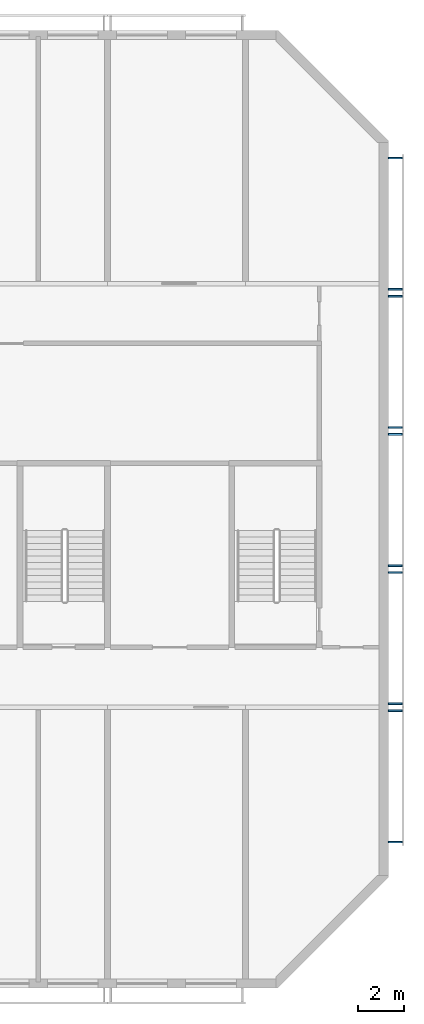
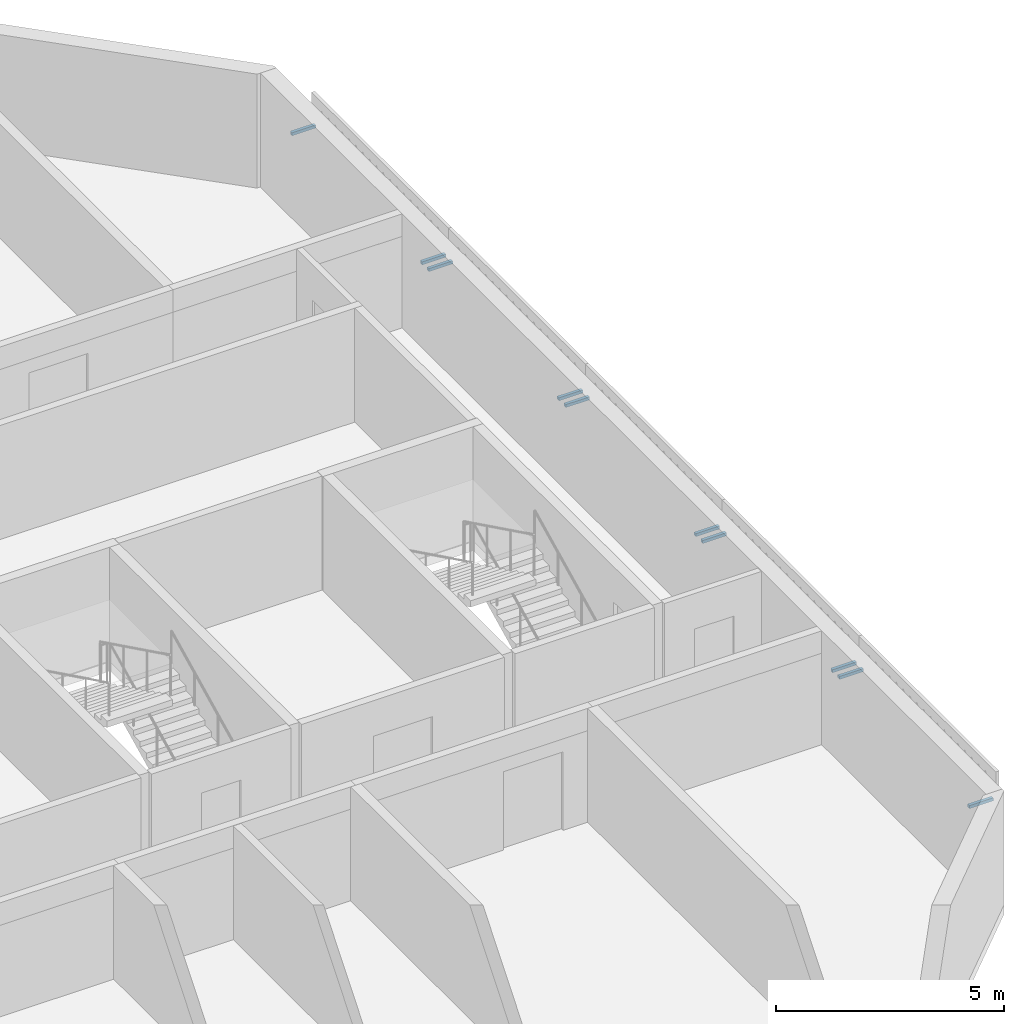
# One storey, part 6 of 18: 10 discrete accessories.
"""IFC4 building model written with IfcOpenShell, lengths in metres."""

from ifc_helpers import new_model, si_unit, direction, frame, origin, origin_2d, place, context, subcontext, project, spatial, rectangle, extrude, source, transform, mapped, material, material_profile, profile_set, type_object, element, save


model = new_model("IFC4")

# Units and contexts
model_context = context("Model", 3, precision=1e-05, world=origin(), true_north=direction((0.0, 1.0)))
body_context = subcontext(model_context, "Body", "Model", "MODEL_VIEW")
ifc_project = project(units=[si_unit("LENGTHUNIT", "METRE"), si_unit("AREAUNIT", "SQUARE_METRE"), si_unit("VOLUMEUNIT", "CUBIC_METRE"), si_unit("PLANEANGLEUNIT", "RADIAN"), si_unit("MASSUNIT", "GRAM", prefix="KILO")], contexts=[model_context])

# Site, building, storey
site_placement = place(None, origin())
site = spatial("IfcSite", under=ifc_project, at=site_placement, CompositionType="ELEMENT")
building_placement = place(site_placement, origin())
building = spatial("IfcBuilding", under=site, at=building_placement, Name="Poui Terraces", CompositionType="ELEMENT")
storey_placement = place(building_placement, frame((0.0, 0.0, 275.699951171875)))
storey = spatial("IfcBuildingStorey", under=building, at=storey_placement, Name="L76 CROWN", CompositionType="ELEMENT", Elevation=275.699951171875)

# Discrete accessories
ifc_material = material(Name="Galvanised steel", Category="steel")
ifc_material_profile = material_profile(ifc_material, rectangle(XDim=0.080078125, YDim=0.080078125, at=origin_2d()), Name="SCREEN BRACKET 80")
ifc_profile_set = profile_set([ifc_material_profile], Name="Galvanised steel")
discrete_accessory_type = type_object("IfcDiscreteAccessoryType", Name="SCREEN BRACKET 80", PredefinedType="BRACKET", material=ifc_profile_set)
shared_shape = source(origin(), body_context, "Body", "SweptSolid", [
    extrude(rectangle(XDim=0.080078125, YDim=0.080078125, at=origin_2d()), origin(), (0.0, 0.0, 1.0), 0.60009765625),
])
for number, where, z_axis, x_axis, name in (
    (1, (84.199951171875, 6.14990234375, 1.699951171875), (1.0, 0.0, 0.0), (0.0, 1.0, 0.0), "SCREEN BRACKET"),
    (2, (84.199951171875, 11.85009765625, 1.699951171875), (1.0, 0.0, 0.0), (0.0, 1.0, 0.0), "SCREEN BRACKET"),
    (3, (84.199951171875, 12.14990234375, 1.699951171875), (1.0, 0.0, 0.0), (0.0, 1.0, 0.0), "SCREEN BRACKET"),
    (4, (84.199951171875, 17.85009765625, 1.699951171875), (1.0, 0.0, 0.0), (0.0, 1.0, 0.0), "SCREEN BRACKET"),
    (5, (84.199951171875, 18.14990234375, 1.699951171875), (1.0, 0.0, 0.0), (0.0, 1.0, 0.0), "SCREEN BRACKET"),
    (6, (84.199951171875, 23.85009765625, 1.699951171875), (1.0, 0.0, 0.0), (0.0, 1.0, 0.0), "SCREEN BRACKET"),
    (7, (84.199951171875, 24.14990234375, 1.699951171875), (1.0, 0.0, 0.0), (0.0, 1.0, 0.0), "SCREEN BRACKET"),
    (8, (84.199951171875, 29.85009765625, 1.699951171875), (1.0, 0.0, 0.0), (0.0, 1.0, 0.0), "SCREEN BRACKET"),
    (9, (84.199951171875, 30.14990234375, 1.699951171875), (1.0, 0.0, 0.0), (0.0, 1.0, 0.0), "SCREEN BRACKET"),
    (10, (84.199951171875, 35.85009765625, 1.699951171875), (1.0, 0.0, 0.0), (0.0, 1.0, 0.0), "SCREEN BRACKET"),
):
    element("IfcDiscreteAccessory", number, at=place(storey_placement, frame(where, z_axis=z_axis, x_axis=x_axis)), inside=storey, type_object=discrete_accessory_type, Name=name, PredefinedType="BRACKET", context=body_context, shape_type="MappedRepresentation", body=[
        mapped(shared_shape, transform((0.0, 0.0, 0.0))),
    ])

save(model, "model.ifc")
